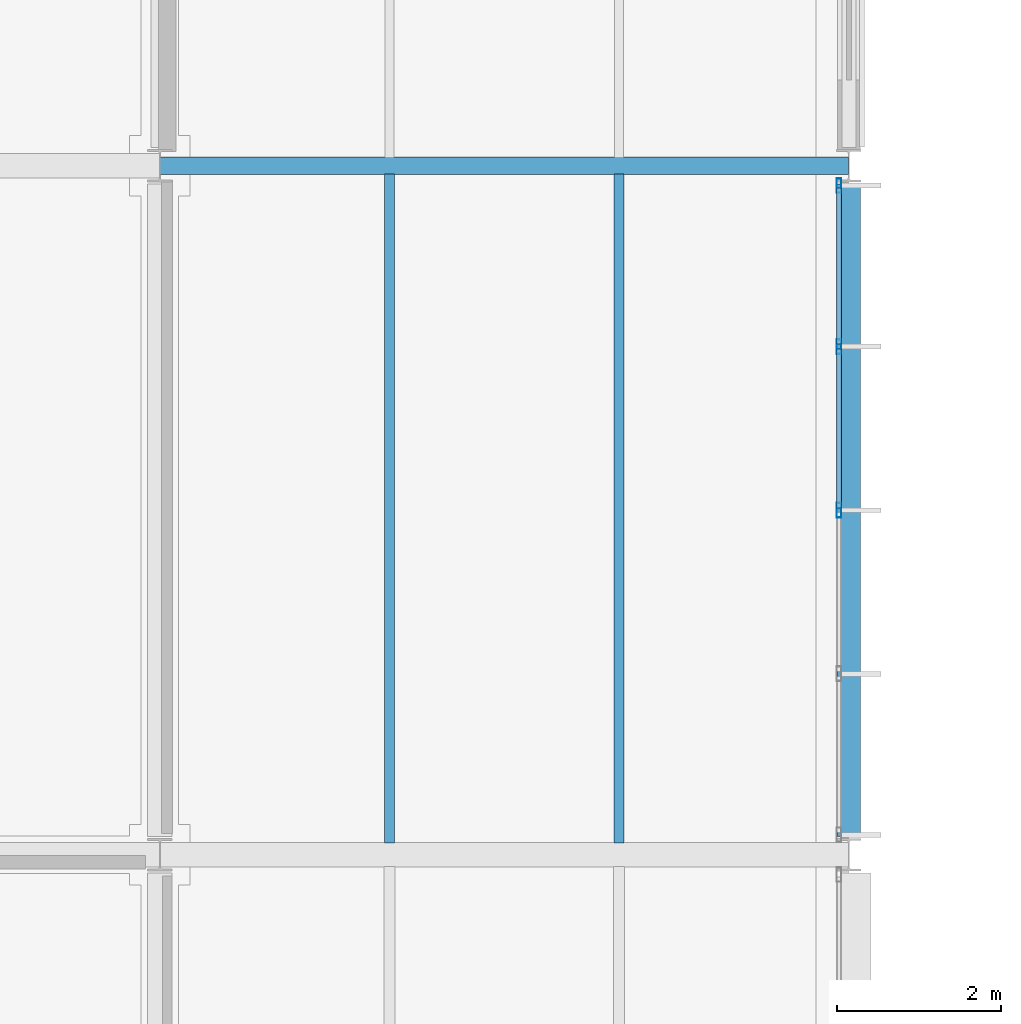
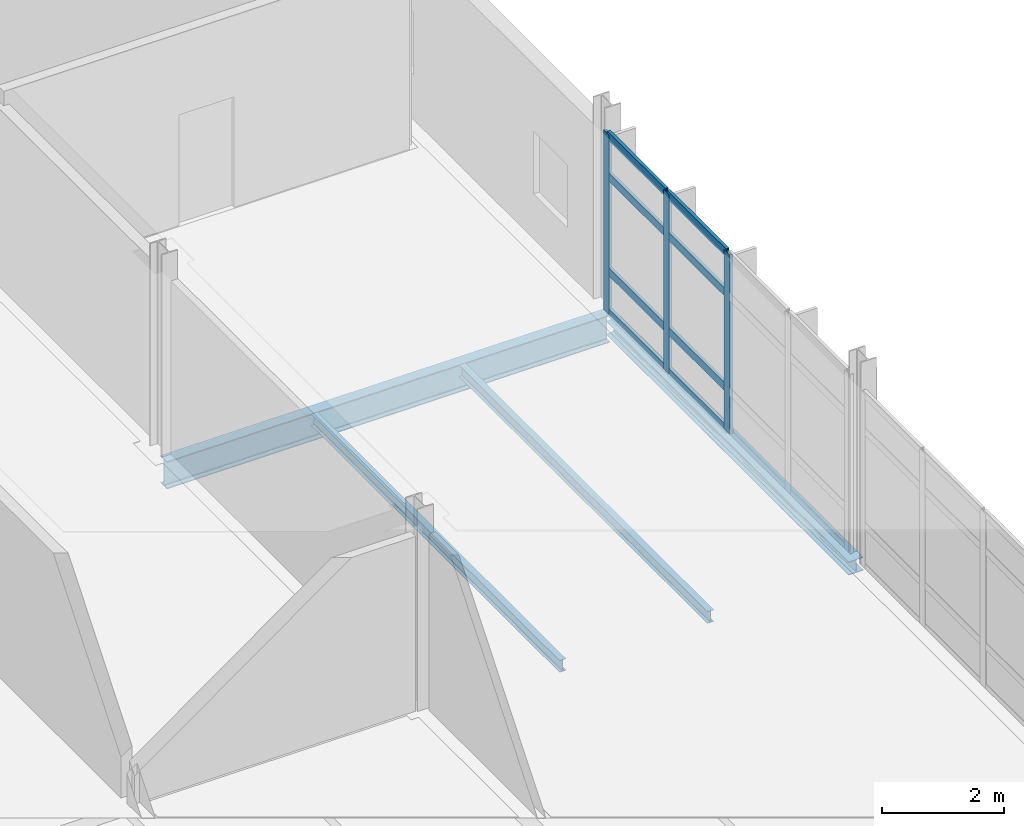
# One storey, part 88 of 131: 11 members, 4 beams, 1 element without a shape of its own.
"""IFC4 building model written with IfcOpenShell, lengths in metres."""

from ifc_helpers import new_model, si_unit, direction, frame, origin, origin_2d, place, context, subcontext, project, spatial, hollow_rectangle, i_section, extrude, material, material_profile, profile_set, type_object, element, aggregate, save


model = new_model("IFC4")

# Units and contexts
model_context = context("Model", 3, precision=1e-05, world=origin(), true_north=direction((0.0, 1.0)))
body_context = subcontext(model_context, "Body", "Model", "MODEL_VIEW")
ifc_project = project(units=[si_unit("LENGTHUNIT", "METRE"), si_unit("AREAUNIT", "SQUARE_METRE"), si_unit("VOLUMEUNIT", "CUBIC_METRE"), si_unit("PLANEANGLEUNIT", "RADIAN"), si_unit("MASSUNIT", "GRAM", prefix="KILO")], contexts=[model_context])

# Site, building, storey
site_placement = place(None, origin())
site = spatial("IfcSite", under=ifc_project, at=site_placement, CompositionType="ELEMENT")
building_placement = place(site_placement, origin())
building = spatial("IfcBuilding", under=site, at=building_placement, Name="Mersafa Astral City Hall", CompositionType="ELEMENT")
storey_placement = place(building_placement, frame((0.0, 0.0, 13.949951171875)))
storey = spatial("IfcBuildingStorey", under=building, at=storey_placement, Name="L03", CompositionType="ELEMENT", Elevation=13.949951171875)

# Curtain wall, members
ifc_material_1 = material(Name="Anodised bronze aluminium framing", Category="aluminium")
curtain_wall_type = type_object("IfcCurtainWallType", Name="ENV-CW-5", PredefinedType="USERDEFINED", material=ifc_material_1)
curtain_wall_placement = place(storey_placement, origin())
curtain_wall = element("IfcCurtainWall", 1, at=curtain_wall_placement, inside=storey, type_object=curtain_wall_type, Name="L03 Unitised solar curtain wall 166", ObjectType="UNITISED CURTAIN WALL", PredefinedType="USERDEFINED")
ifc_material_profile_1 = material_profile(ifc_material_1, hollow_rectangle(XDim=0.06005859375, YDim=0.179931640625, WallThickness=0.00390625, at=origin_2d()), Name="RHS 60x180x4")
ifc_profile_set_1 = profile_set([ifc_material_profile_1], Name="Anodised bronze aluminium framing")
member_type_1 = type_object("IfcMemberType", Name="ENV-CW-MUL-1", PredefinedType="MULLION", material=ifc_profile_set_1)
member_1_placement = place(storey_placement, frame((176.280029296875, 88.199951171875, -0.001953125), z_axis=(0.0, 0.0, 1.0), x_axis=(-1.0, 0.0, 0.0)))
member_1 = element("IfcMember", 2, at=member_1_placement, type_object=member_type_1, Name="CW-5 mullion 3", PredefinedType="MULLION", context=body_context, shape_type="SweptSolid", body=[
    extrude(hollow_rectangle(XDim=0.06005859375, YDim=0.179931640625, WallThickness=0.00390625, at=origin_2d()), origin(), (0.0, 0.0, 1.0), 3.593994140625),
])
member_2_placement = place(storey_placement, frame((176.280029296875, 90.194091796875, -0.001953125), z_axis=(0.0, 0.0, 1.0), x_axis=(-1.0, 0.0, 0.0)))
member_2 = element("IfcMember", 3, at=member_2_placement, type_object=member_type_1, Name="CW-5 mullion 4", PredefinedType="MULLION", context=body_context, shape_type="SweptSolid", body=[
    extrude(hollow_rectangle(XDim=0.06005859375, YDim=0.179931640625, WallThickness=0.00390625, at=origin_2d()), origin(), (0.0, 0.0, 1.0), 3.593994140625),
])
member_3_placement = place(storey_placement, frame((176.280029296875, 92.157958984375, -0.001953125), z_axis=(0.0, 0.0, 1.0), x_axis=(-1.0, 0.0, 0.0)))
member_3 = element("IfcMember", 4, at=member_3_placement, type_object=member_type_1, Name="CW-5 mullion 5", PredefinedType="MULLION", context=body_context, shape_type="SweptSolid", body=[
    extrude(hollow_rectangle(XDim=0.06005859375, YDim=0.179931640625, WallThickness=0.00390625, at=origin_2d()), origin(), (0.0, 0.0, 1.0), 3.593994140625),
])
ifc_material_profile_2 = material_profile(ifc_material_1, hollow_rectangle(XDim=0.06005859375, YDim=0.159912109375, WallThickness=0.00390625, at=origin_2d()), Name="RHS 60x160x4")
ifc_profile_set_2 = profile_set([ifc_material_profile_2], Name="Anodised bronze aluminium framing")
member_type_2 = type_object("IfcMemberType", Name="ENV-CW-TRN-2", PredefinedType="USERDEFINED", material=ifc_profile_set_2)
member_4_placement = place(storey_placement, frame((176.280029296875, 88.22998046875, 0.028076171875), z_axis=(0.0, 1.0, 0.0), x_axis=(-1.0, 0.0, 0.0)))
member_4 = element("IfcMember", 5, at=member_4_placement, type_object=member_type_2, Name="CW-5 transom 3.1", ObjectType="TRANSOM", PredefinedType="USERDEFINED", context=body_context, shape_type="SweptSolid", body=[
    extrude(hollow_rectangle(XDim=0.06005859375, YDim=0.159912109375, WallThickness=0.00390625, at=origin_2d()), origin(), (0.0, 0.0, 1.0), 1.93408203125),
])
member_5_placement = place(storey_placement, frame((176.280029296875, 88.22998046875, 0.85009765625), z_axis=(0.0, 1.0, 0.0), x_axis=(-1.0, 0.0, 0.0)))
member_5 = element("IfcMember", 6, at=member_5_placement, type_object=member_type_2, Name="CW-5 transom 3.2", ObjectType="TRANSOM", PredefinedType="USERDEFINED", context=body_context, shape_type="SweptSolid", body=[
    extrude(hollow_rectangle(XDim=0.06005859375, YDim=0.159912109375, WallThickness=0.00390625, at=origin_2d()), origin(), (0.0, 0.0, 1.0), 1.93408203125),
])
member_6_placement = place(storey_placement, frame((176.280029296875, 88.22998046875, 2.75), z_axis=(0.0, 1.0, 0.0), x_axis=(-1.0, 0.0, 0.0)))
member_6 = element("IfcMember", 7, at=member_6_placement, type_object=member_type_2, Name="CW-5 transom 3.3", ObjectType="TRANSOM", PredefinedType="USERDEFINED", context=body_context, shape_type="SweptSolid", body=[
    extrude(hollow_rectangle(XDim=0.06005859375, YDim=0.159912109375, WallThickness=0.00390625, at=origin_2d()), origin(), (0.0, 0.0, 1.0), 1.93408203125),
])
member_7_placement = place(storey_placement, frame((176.280029296875, 88.22998046875, 3.56201171875), z_axis=(0.0, 1.0, 0.0), x_axis=(-1.0, 0.0, 0.0)))
member_7 = element("IfcMember", 8, at=member_7_placement, type_object=member_type_2, Name="CW-5 transom 3.4", ObjectType="TRANSOM", PredefinedType="USERDEFINED", context=body_context, shape_type="SweptSolid", body=[
    extrude(hollow_rectangle(XDim=0.06005859375, YDim=0.159912109375, WallThickness=0.00390625, at=origin_2d()), origin(), (0.0, 0.0, 1.0), 1.93408203125),
])
member_8_placement = place(storey_placement, frame((176.280029296875, 90.22412109375, 0.028076171875), z_axis=(0.0, 1.0, 0.0), x_axis=(-1.0, 0.0, 0.0)))
member_8 = element("IfcMember", 9, at=member_8_placement, type_object=member_type_2, Name="CW-5 transom 4.1", ObjectType="TRANSOM", PredefinedType="USERDEFINED", context=body_context, shape_type="SweptSolid", body=[
    extrude(hollow_rectangle(XDim=0.06005859375, YDim=0.159912109375, WallThickness=0.00390625, at=origin_2d()), origin(), (0.0, 0.0, 1.0), 1.90380859375),
])
member_9_placement = place(storey_placement, frame((176.280029296875, 90.22412109375, 0.85009765625), z_axis=(0.0, 1.0, 0.0), x_axis=(-1.0, 0.0, 0.0)))
member_9 = element("IfcMember", 10, at=member_9_placement, type_object=member_type_2, Name="CW-5 transom 4.2", ObjectType="TRANSOM", PredefinedType="USERDEFINED", context=body_context, shape_type="SweptSolid", body=[
    extrude(hollow_rectangle(XDim=0.06005859375, YDim=0.159912109375, WallThickness=0.00390625, at=origin_2d()), origin(), (0.0, 0.0, 1.0), 1.90380859375),
])
member_10_placement = place(storey_placement, frame((176.280029296875, 90.22412109375, 2.75), z_axis=(0.0, 1.0, 0.0), x_axis=(-1.0, 0.0, 0.0)))
member_10 = element("IfcMember", 11, at=member_10_placement, type_object=member_type_2, Name="CW-5 transom 4.3", ObjectType="TRANSOM", PredefinedType="USERDEFINED", context=body_context, shape_type="SweptSolid", body=[
    extrude(hollow_rectangle(XDim=0.06005859375, YDim=0.159912109375, WallThickness=0.00390625, at=origin_2d()), origin(), (0.0, 0.0, 1.0), 1.90380859375),
])
member_11_placement = place(storey_placement, frame((176.280029296875, 90.22412109375, 3.56201171875), z_axis=(0.0, 1.0, 0.0), x_axis=(-1.0, 0.0, 0.0)))
member_11 = element("IfcMember", 12, at=member_11_placement, type_object=member_type_2, Name="CW-5 transom 4.4", ObjectType="TRANSOM", PredefinedType="USERDEFINED", context=body_context, shape_type="SweptSolid", body=[
    extrude(hollow_rectangle(XDim=0.06005859375, YDim=0.159912109375, WallThickness=0.00390625, at=origin_2d()), origin(), (0.0, 0.0, 1.0), 1.90380859375),
])
aggregate(curtain_wall, [member_1, member_2, member_3, member_4, member_5, member_6, member_7, member_8, member_9, member_10, member_11])

# Beams
ifc_material_2 = material(Name="Steel S355", Category="steel")
ifc_material_profile_3 = material_profile(ifc_material_2, i_section(OverallWidth=0.2099609375, OverallDepth=0.550048828125, WebThickness=0.010986328125, FlangeThickness=0.01708984375, FilletRadius=0.02392578125, at=origin_2d()), Name="IPE 550")
ifc_profile_set_3 = profile_set([ifc_material_profile_3], Name="Steel S355")
beam_type_1 = type_object("IfcBeamType", Name="STR-BM-IPE550", PredefinedType="BEAM", material=ifc_profile_set_3)
beam_1_placement = place(storey_placement, frame((168.0029296875, 92.39990234375, -0.474853515625), z_axis=(1.0, 0.0, 0.0), x_axis=(0.0, 1.0, 0.0)))
element("IfcBeam", 13, at=beam_1_placement, inside=storey, type_object=beam_type_1, Name="L03 Primary girder X 20-11", PredefinedType="BEAM", context=body_context, shape_type="SweptSolid", body=[
    extrude(i_section(OverallWidth=0.2099609375, OverallDepth=0.550048828125, WebThickness=0.010986328125, FlangeThickness=0.01708984375, FilletRadius=0.02392578125, at=origin_2d()), origin(), (0.0, 0.0, 1.0), 8.39404296875),
])
ifc_material_profile_4 = material_profile(ifc_material_2, i_section(OverallWidth=0.1201171875, OverallDepth=0.239990234375, WebThickness=0.006103515625, FlangeThickness=0.009765625, FilletRadius=0.014892578125, at=origin_2d()), Name="IPE 240")
ifc_profile_set_4 = profile_set([ifc_material_profile_4], Name="Steel S355")
beam_type_2 = type_object("IfcBeamType", Name="STR-BM-JOIST-IPE240", PredefinedType="JOIST", material=ifc_profile_set_4)
for number, where, z_axis, x_axis, name in (
    (14, (170.800048828125, 84.14501953125, -0.320068359375), (0.0, 1.0, 0.0), (-1.0, 0.0, 0.0), "L03 Composite secondary floor joist 675"),
    (15, (173.60009765625, 84.14501953125, -0.320068359375), (0.0, 1.0, 0.0), (-1.0, 0.0, 0.0), "L03 Composite secondary floor joist 676"),
):
    element("IfcBeam", number, at=place(storey_placement, frame(where, z_axis=z_axis, x_axis=x_axis)), inside=storey, type_object=beam_type_2, Name=name, PredefinedType="JOIST", context=body_context, shape_type="SweptSolid", body=[
        extrude(i_section(OverallWidth=0.1201171875, OverallDepth=0.239990234375, WebThickness=0.006103515625, FlangeThickness=0.009765625, FilletRadius=0.014892578125, at=origin_2d()), origin(), (0.0, 0.0, 1.0), 8.155029296875),
    ])
ifc_material_profile_5 = material_profile(ifc_material_2, i_section(OverallWidth=0.280029296875, OverallDepth=0.27001953125, WebThickness=0.008056640625, FlangeThickness=0.012939453125, FilletRadius=0.02392578125, at=origin_2d()), Name="HEA 280")
ifc_profile_set_5 = profile_set([ifc_material_profile_5], Name="Steel S355")
beam_type_3 = type_object("IfcBeamType", Name="STR-BM-SPANDREL-HEA280", PredefinedType="SPANDREL", material=ifc_profile_set_5)
beam_2_placement = place(storey_placement, frame((176.39990234375, 84.219970703125, -0.3349609375), z_axis=(0.0, 1.0, 0.0), x_axis=(-1.0, 0.0, 0.0)))
element("IfcBeam", 16, at=beam_2_placement, inside=storey, type_object=beam_type_3, Name="L03 Primary girder Y 21-10", PredefinedType="SPANDREL", context=body_context, shape_type="SweptSolid", body=[
    extrude(i_section(OverallWidth=0.280029296875, OverallDepth=0.27001953125, WebThickness=0.008056640625, FlangeThickness=0.012939453125, FilletRadius=0.02392578125, at=origin_2d()), origin(), (0.0, 0.0, 1.0), 7.9599609375),
])

save(model, "model.ifc")
